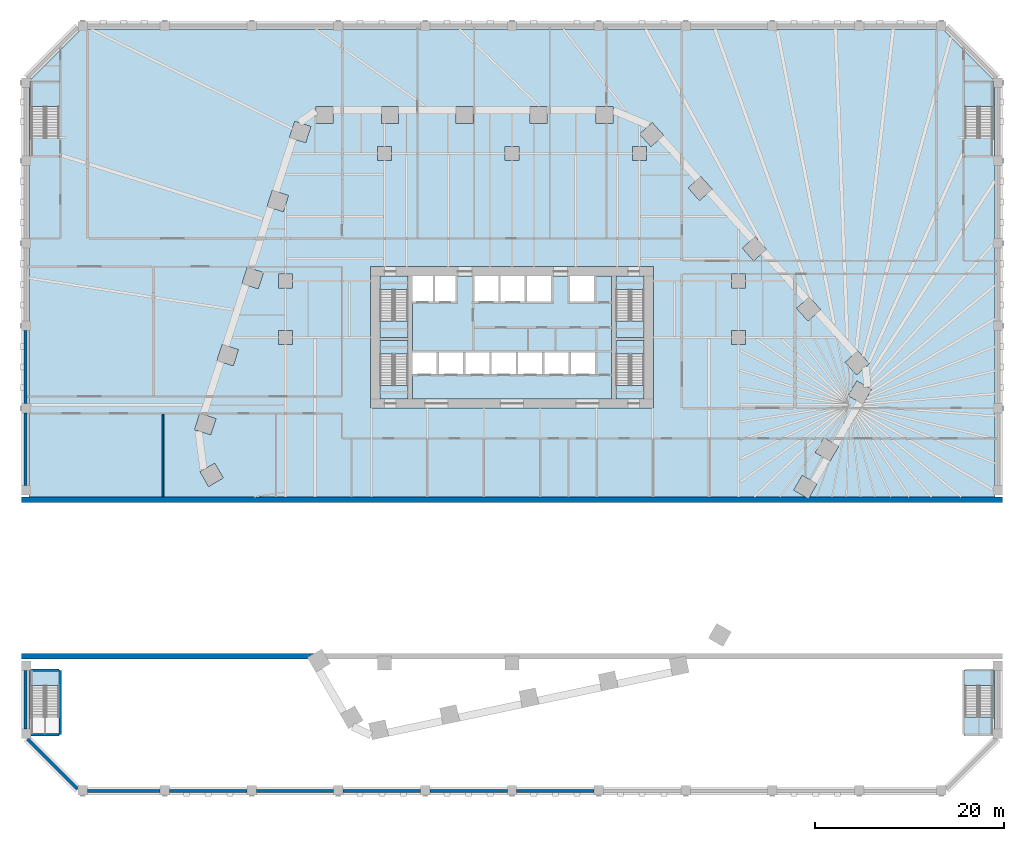
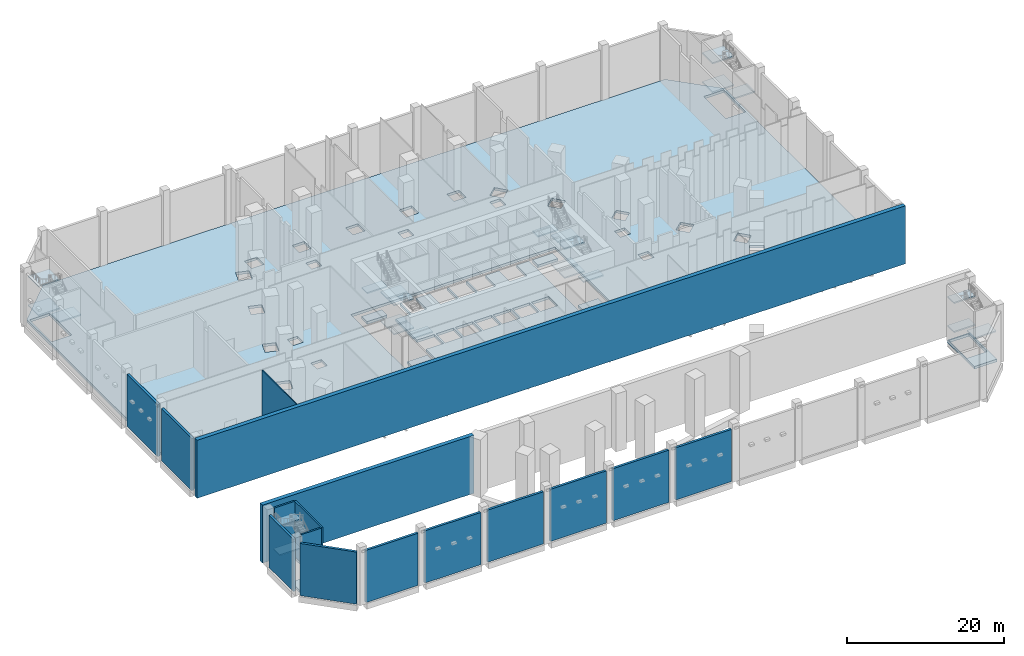
# One storey, part 5 of 23: 31 slabs, 16 walls, 8 elements without a shape of their own.
"""IFC4 building model written with IfcOpenShell, lengths in metres."""

from ifc_helpers import new_model, si_unit, direction, frame, frame_2d, origin, place, context, subcontext, project, spatial, polyline, rectangle, outline, extrude, material, layer, layer_set, type_object, element, aggregate, save


model = new_model("IFC4")

# Units and contexts
model_context = context("Model", 3, precision=1e-05, world=origin(), true_north=direction((0.0, 1.0)))
body_context = subcontext(model_context, "Body", "Model", "MODEL_VIEW")
ifc_project = project(units=[si_unit("LENGTHUNIT", "METRE"), si_unit("AREAUNIT", "SQUARE_METRE"), si_unit("VOLUMEUNIT", "CUBIC_METRE"), si_unit("PLANEANGLEUNIT", "RADIAN"), si_unit("MASSUNIT", "GRAM", prefix="KILO")], contexts=[model_context])

# Site, building, storey
site_placement = place(None, origin())
site = spatial("IfcSite", under=ifc_project, at=site_placement, CompositionType="ELEMENT")
building_placement = place(site_placement, origin())
building = spatial("IfcBuilding", under=site, at=building_placement, Name="Isthmus Gate Tower", CompositionType="ELEMENT")
storey_placement = place(building_placement, frame((0.0, 0.0, 9.0)))
storey = spatial("IfcBuildingStorey", under=building, at=storey_placement, Name="L01", CompositionType="ELEMENT", Elevation=9.0)

# Slabs
ifc_material_1 = material(Name="Concrete f'c 40 MPa", Category="concrete")
ifc_layer_1 = layer(ifc_material_1, 0.39990234375)
ifc_layer_set_1 = layer_set([ifc_layer_1], Name="CORE FLOOR SLAB 400")
slab_type_1 = type_object("IfcSlabType", Name="CORE FLOOR SLAB 400", PredefinedType="FLOOR", material=ifc_layer_set_1)
slab_1_placement = place(storey_placement, frame((0.0, 0.0, -0.39990234375)))
element("IfcSlab", 1, at=slab_1_placement, inside=storey, type_object=slab_type_1, Name="L01 core floor", PredefinedType="FLOOR", context=body_context, shape_type="SweptSolid", body=[
    extrude(outline(polyline([(-11.050048828125, 1.0), (-11.050048828125, 2.402099609375), (-14.0, 2.402099609375), (-14.0, 1.0), (-11.050048828125, 1.0)])), origin(), (0.0, 0.0, 1.0), 0.39990234375),
])
slab_2_placement = place(storey_placement, frame((0.0, 0.0, -0.39990234375)))
element("IfcSlab", 2, at=slab_2_placement, inside=storey, type_object=slab_type_1, Name="L01 core floor", PredefinedType="FLOOR", context=body_context, shape_type="SweptSolid", body=[
    extrude(outline(polyline([(-14.0, 14.0), (-14.0, 12.597900390625), (-11.050048828125, 12.597900390625), (-11.050048828125, 14.0), (-14.0, 14.0)])), origin(), (0.0, 0.0, 1.0), 0.39990234375),
])
slab_3_placement = place(storey_placement, frame((0.0, 0.0, -0.39990234375)))
element("IfcSlab", 3, at=slab_3_placement, inside=storey, type_object=slab_type_1, Name="L01 core floor", PredefinedType="FLOOR", context=body_context, shape_type="SweptSolid", body=[
    extrude(outline(polyline([(10.550048828125, 14.0), (8.699951171875, 14.0), (8.699951171875, 11.300048828125), (6.14990234375, 11.300048828125), (6.14990234375, 14.0), (4.14990234375, 14.0), (4.14990234375, 11.300048828125), (1.60009765625, 11.300048828125), (1.60009765625, 14.0), (1.35009765625, 14.0), (1.35009765625, 11.300048828125), (-1.199951171875, 11.300048828125), (-1.199951171875, 14.0), (-1.449951171875, 14.0), (-1.449951171875, 11.300048828125), (-4.0, 11.300048828125), (-4.0, 14.0), (-6.0, 14.0), (-6.0, 11.300048828125), (-8.14990234375, 11.300048828125), (-8.14990234375, 14.0), (-8.39990234375, 14.0), (-8.39990234375, 11.300048828125), (-10.550048828125, 11.300048828125), (-10.550048828125, 5.89990234375), (-8.0, 5.89990234375), (-8.0, 3.60009765625), (-10.550048828125, 3.60009765625), (-10.550048828125, 1.0), (10.550048828125, 1.0), (10.550048828125, 14.0)]), holes=[polyline([(-5.199951171875, 5.89990234375), (-5.199951171875, 3.60009765625), (-7.75, 3.60009765625), (-7.75, 5.89990234375), (-5.199951171875, 5.89990234375)]), polyline([(-2.39990234375, 5.89990234375), (-2.39990234375, 3.60009765625), (-4.949951171875, 3.60009765625), (-4.949951171875, 5.89990234375), (-2.39990234375, 5.89990234375)]), polyline([(0.39990234375, 5.89990234375), (0.39990234375, 3.60009765625), (-2.14990234375, 3.60009765625), (-2.14990234375, 5.89990234375), (0.39990234375, 5.89990234375)]), polyline([(3.199951171875, 5.89990234375), (3.199951171875, 3.60009765625), (0.64990234375, 3.60009765625), (0.64990234375, 5.89990234375), (3.199951171875, 5.89990234375)]), polyline([(6.0, 5.89990234375), (6.0, 3.60009765625), (3.449951171875, 3.60009765625), (3.449951171875, 5.89990234375), (6.0, 5.89990234375)]), polyline([(8.800048828125, 5.89990234375), (8.800048828125, 3.60009765625), (6.25, 3.60009765625), (6.25, 5.89990234375), (8.800048828125, 5.89990234375)])]), origin(), (0.0, 0.0, 1.0), 0.39990234375),
])
slab_4_placement = place(storey_placement, frame((0.0, 0.0, -0.39990234375)))
element("IfcSlab", 4, at=slab_4_placement, inside=storey, type_object=slab_type_1, Name="L01 core floor", PredefinedType="FLOOR", context=body_context, shape_type="SweptSolid", body=[
    extrude(outline(polyline([(14.0, 1.0), (14.0, 2.402099609375), (11.050048828125, 2.402099609375), (11.050048828125, 1.0), (14.0, 1.0)])), origin(), (0.0, 0.0, 1.0), 0.39990234375),
])
slab_5_placement = place(storey_placement, frame((0.0, 0.0, -0.39990234375)))
element("IfcSlab", 5, at=slab_5_placement, inside=storey, type_object=slab_type_1, Name="L01 core floor", PredefinedType="FLOOR", context=body_context, shape_type="SweptSolid", body=[
    extrude(outline(polyline([(11.050048828125, 14.0), (11.050048828125, 12.597900390625), (14.0, 12.597900390625), (14.0, 14.0), (11.050048828125, 14.0)])), origin(), (0.0, 0.0, 1.0), 0.39990234375),
])

# Stair, slabs
ifc_material_2 = material(Name="Concrete f'c 40 MPa", Category="concrete")
stair_type_1 = type_object("IfcStairType", Name="Podium exit stair 1400 wide flights", PredefinedType="HALF_TURN_STAIR", material=ifc_material_2)
stair_1_placement = place(storey_placement, origin())
stair_1 = element("IfcStair", 6, at=stair_1_placement, inside=storey, type_object=stair_type_1, Name="L01 Podium Exit Stair ST3", PredefinedType="HALF_TURN_STAIR")
ifc_material_3 = material(Name="Concrete f'c 40 MPa", Category="concrete")
ifc_layer_2 = layer(ifc_material_3, 0.199951171875)
ifc_layer_set_2 = layer_set([ifc_layer_2], Name="Podium stair landing 200")
slab_type_2 = type_object("IfcSlabType", Name="Podium stair landing 200", PredefinedType="LANDING", material=ifc_layer_set_2)
slab_6_placement = place(storey_placement, frame((0.0, 0.0, 2.050048828125)))
slab_6 = element("IfcSlab", 7, at=slab_6_placement, type_object=slab_type_2, Name="ST3 landing 1", PredefinedType="LANDING", context=body_context, shape_type="SweptSolid", body=[
    extrude(outline(polyline([(-47.89990234375, -29.364990234375), (-47.89990234375, -27.72900390625), (-51.050048828125, -27.72900390625), (-51.050048828125, -29.364990234375), (-47.89990234375, -29.364990234375)])), origin(), (0.0, 0.0, 1.0), 0.199951171875),
])
slab_7_placement = place(storey_placement, frame((0.0, 0.0, 6.550048828125)))
slab_7 = element("IfcSlab", 8, at=slab_7_placement, type_object=slab_type_2, Name="ST3 landing 3", PredefinedType="LANDING", context=body_context, shape_type="SweptSolid", body=[
    extrude(outline(polyline([(-47.89990234375, -29.364990234375), (-47.89990234375, -27.72900390625), (-51.050048828125, -27.72900390625), (-51.050048828125, -29.364990234375), (-47.89990234375, -29.364990234375)])), origin(), (0.0, 0.0, 1.0), 0.199951171875),
])
aggregate(stair_1, [slab_6, slab_7])

stair_2_placement = place(storey_placement, origin())
stair_2 = element("IfcStair", 9, at=stair_2_placement, inside=storey, type_object=stair_type_1, Name="L01 Podium Exit Stair ST4", PredefinedType="HALF_TURN_STAIR")
slab_8_placement = place(storey_placement, frame((0.0, 0.0, 2.050048828125)))
slab_8 = element("IfcSlab", 10, at=slab_8_placement, type_object=slab_type_2, Name="ST4 landing 1", PredefinedType="LANDING", context=body_context, shape_type="SweptSolid", body=[
    extrude(outline(polyline([(51.050048828125, -29.364990234375), (51.050048828125, -27.72900390625), (47.89990234375, -27.72900390625), (47.89990234375, -29.364990234375), (51.050048828125, -29.364990234375)])), origin(), (0.0, 0.0, 1.0), 0.199951171875),
])
slab_9_placement = place(storey_placement, frame((0.0, 0.0, 4.300048828125)))
slab_9 = element("IfcSlab", 11, at=slab_9_placement, type_object=slab_type_2, Name="ST4 landing 2", PredefinedType="LANDING", context=body_context, shape_type="SweptSolid", body=[
    extrude(outline(polyline([(51.050048828125, -34.675048828125), (51.050048828125, -32.72509765625), (47.89990234375, -32.72509765625), (47.89990234375, -34.675048828125), (51.050048828125, -34.675048828125)])), origin(), (0.0, 0.0, 1.0), 0.199951171875),
])
slab_10_placement = place(storey_placement, frame((0.0, 0.0, 6.550048828125)))
slab_10 = element("IfcSlab", 12, at=slab_10_placement, type_object=slab_type_2, Name="ST4 landing 3", PredefinedType="LANDING", context=body_context, shape_type="SweptSolid", body=[
    extrude(outline(polyline([(51.050048828125, -29.364990234375), (51.050048828125, -27.72900390625), (47.89990234375, -27.72900390625), (47.89990234375, -29.364990234375), (51.050048828125, -29.364990234375)])), origin(), (0.0, 0.0, 1.0), 0.199951171875),
])
aggregate(stair_2, [slab_8, slab_9, slab_10])

stair_3_placement = place(storey_placement, origin())
stair_3 = element("IfcStair", 13, at=stair_3_placement, inside=storey, type_object=stair_type_1, Name="L01 Podium Exit Stair ST5", PredefinedType="HALF_TURN_STAIR")
slab_11_placement = place(storey_placement, frame((0.0, 0.0, 2.050048828125)))
slab_11 = element("IfcSlab", 14, at=slab_11_placement, type_object=slab_type_2, Name="ST5 landing 1", PredefinedType="LANDING", context=body_context, shape_type="SweptSolid", body=[
    extrude(outline(polyline([(51.050048828125, 31.985107421875), (51.050048828125, 34.625), (47.89990234375, 34.625), (47.89990234375, 31.985107421875), (51.050048828125, 31.985107421875)])), origin(), (0.0, 0.0, 1.0), 0.199951171875),
])
slab_12_placement = place(storey_placement, frame((0.0, 0.0, 4.300048828125)))
slab_12 = element("IfcSlab", 15, at=slab_12_placement, type_object=slab_type_2, Name="ST5 landing 2", PredefinedType="LANDING", context=body_context, shape_type="SweptSolid", body=[
    extrude(outline(polyline([(51.050048828125, 26.625), (51.050048828125, 28.625), (47.89990234375, 28.625), (47.89990234375, 26.625), (51.050048828125, 26.625)])), origin(), (0.0, 0.0, 1.0), 0.199951171875),
])
slab_13_placement = place(storey_placement, frame((0.0, 0.0, 6.550048828125)))
slab_13 = element("IfcSlab", 16, at=slab_13_placement, type_object=slab_type_2, Name="ST5 landing 3", PredefinedType="LANDING", context=body_context, shape_type="SweptSolid", body=[
    extrude(outline(polyline([(51.050048828125, 31.985107421875), (51.050048828125, 34.625), (47.89990234375, 34.625), (47.89990234375, 31.985107421875), (51.050048828125, 31.985107421875)])), origin(), (0.0, 0.0, 1.0), 0.199951171875),
])
aggregate(stair_3, [slab_11, slab_12, slab_13])

stair_4_placement = place(storey_placement, origin())
stair_4 = element("IfcStair", 17, at=stair_4_placement, inside=storey, type_object=stair_type_1, Name="L01 Podium Exit Stair ST6", PredefinedType="HALF_TURN_STAIR")
slab_14_placement = place(storey_placement, frame((0.0, 0.0, 2.050048828125)))
slab_14 = element("IfcSlab", 18, at=slab_14_placement, type_object=slab_type_2, Name="ST6 landing 1", PredefinedType="LANDING", context=body_context, shape_type="SweptSolid", body=[
    extrude(outline(polyline([(-47.89990234375, 31.985107421875), (-47.89990234375, 34.625), (-51.050048828125, 34.625), (-51.050048828125, 31.985107421875), (-47.89990234375, 31.985107421875)])), origin(), (0.0, 0.0, 1.0), 0.199951171875),
])
slab_15_placement = place(storey_placement, frame((0.0, 0.0, 4.300048828125)))
slab_15 = element("IfcSlab", 19, at=slab_15_placement, type_object=slab_type_2, Name="ST6 landing 2", PredefinedType="LANDING", context=body_context, shape_type="SweptSolid", body=[
    extrude(outline(polyline([(-47.89990234375, 26.625), (-47.89990234375, 28.625), (-51.050048828125, 28.625), (-51.050048828125, 26.625), (-47.89990234375, 26.625)])), origin(), (0.0, 0.0, 1.0), 0.199951171875),
])
slab_16_placement = place(storey_placement, frame((0.0, 0.0, 6.550048828125)))
slab_16 = element("IfcSlab", 20, at=slab_16_placement, type_object=slab_type_2, Name="ST6 landing 3", PredefinedType="LANDING", context=body_context, shape_type="SweptSolid", body=[
    extrude(outline(polyline([(-47.89990234375, 31.985107421875), (-47.89990234375, 34.625), (-51.050048828125, 34.625), (-51.050048828125, 31.985107421875), (-47.89990234375, 31.985107421875)])), origin(), (0.0, 0.0, 1.0), 0.199951171875),
])
aggregate(stair_4, [slab_14, slab_15, slab_16])

ifc_material_4 = material(Name="Concrete f'c 40 MPa", Category="concrete")
stair_type_2 = type_object("IfcStairType", Name="CORE STAIR 52 RISERS", PredefinedType="HALF_TURN_STAIR", material=ifc_material_4)
stair_5_placement = place(storey_placement, origin())
stair_5 = element("IfcStair", 21, at=stair_5_placement, inside=storey, type_object=stair_type_2, Name="L01 Exit Stair 1", PredefinedType="HALF_TURN_STAIR")
ifc_material_5 = material(Name="Concrete f'c 40 MPa", Category="concrete")
ifc_layer_3 = layer(ifc_material_5, 0.199951171875)
ifc_layer_set_3 = layer_set([ifc_layer_3])
slab_type_3 = type_object("IfcSlabType", Name="STAIR LANDING RC 200", PredefinedType="LANDING", material=ifc_layer_set_3)
slab_17_placement = place(storey_placement, frame((0.0, 0.0, 2.050048828125)))
slab_17 = element("IfcSlab", 22, at=slab_17_placement, type_object=slab_type_3, Name="ST1 landing 1", PredefinedType="LANDING", context=body_context, shape_type="SweptSolid", body=[
    extrude(outline(polyline([(-14.0, 9.239990234375), (-14.0, 7.5), (-11.050048828125, 7.5), (-11.050048828125, 9.239990234375), (-14.0, 9.239990234375)])), origin(), (0.0, 0.0, 1.0), 0.199951171875),
])
slab_18_placement = place(storey_placement, frame((0.0, 0.0, 4.300048828125)))
slab_18 = element("IfcSlab", 23, at=slab_18_placement, type_object=slab_type_3, Name="ST1 landing 2", PredefinedType="LANDING", context=body_context, shape_type="SweptSolid", body=[
    extrude(outline(polyline([(-14.0, 14.0), (-14.0, 12.60009765625), (-11.050048828125, 12.60009765625), (-11.050048828125, 14.0), (-14.0, 14.0)])), origin(), (0.0, 0.0, 1.0), 0.199951171875),
])
slab_19_placement = place(storey_placement, frame((0.0, 0.0, 6.550048828125)))
slab_19 = element("IfcSlab", 24, at=slab_19_placement, type_object=slab_type_3, Name="ST1 landing 3", PredefinedType="LANDING", context=body_context, shape_type="SweptSolid", body=[
    extrude(outline(polyline([(-14.0, 9.239990234375), (-14.0, 7.5), (-11.050048828125, 7.5), (-11.050048828125, 9.239990234375), (-14.0, 9.239990234375)])), origin(), (0.0, 0.0, 1.0), 0.199951171875),
])
aggregate(stair_5, [slab_17, slab_18, slab_19])

stair_6_placement = place(storey_placement, origin())
stair_6 = element("IfcStair", 25, at=stair_6_placement, inside=storey, type_object=stair_type_2, Name="L01 Exit Stair 2", PredefinedType="HALF_TURN_STAIR")
slab_20_placement = place(storey_placement, frame((0.0, 0.0, 2.050048828125)))
slab_20 = element("IfcSlab", 26, at=slab_20_placement, type_object=slab_type_3, Name="ST2 landing 1", PredefinedType="LANDING", context=body_context, shape_type="SweptSolid", body=[
    extrude(outline(polyline([(11.050048828125, 9.239990234375), (11.050048828125, 7.5), (14.0, 7.5), (14.0, 9.239990234375), (11.050048828125, 9.239990234375)])), origin(), (0.0, 0.0, 1.0), 0.199951171875),
])
slab_21_placement = place(storey_placement, frame((0.0, 0.0, 4.300048828125)))
slab_21 = element("IfcSlab", 27, at=slab_21_placement, type_object=slab_type_3, Name="ST2 landing 2", PredefinedType="LANDING", context=body_context, shape_type="SweptSolid", body=[
    extrude(outline(polyline([(11.050048828125, 14.0), (11.050048828125, 12.60009765625), (14.0, 12.60009765625), (14.0, 14.0), (11.050048828125, 14.0)])), origin(), (0.0, 0.0, 1.0), 0.199951171875),
])
slab_22_placement = place(storey_placement, frame((0.0, 0.0, 6.550048828125)))
slab_22 = element("IfcSlab", 28, at=slab_22_placement, type_object=slab_type_3, Name="ST2 landing 3", PredefinedType="LANDING", context=body_context, shape_type="SweptSolid", body=[
    extrude(outline(polyline([(11.050048828125, 9.239990234375), (11.050048828125, 7.5), (14.0, 7.5), (14.0, 9.239990234375), (11.050048828125, 9.239990234375)])), origin(), (0.0, 0.0, 1.0), 0.199951171875),
])
aggregate(stair_6, [slab_20, slab_21, slab_22])

stair_7_placement = place(storey_placement, origin())
stair_7 = element("IfcStair", 29, at=stair_7_placement, inside=storey, type_object=stair_type_2, Name="L01 Exit Stair 7", PredefinedType="HALF_TURN_STAIR")
slab_23_placement = place(storey_placement, frame((0.0, 0.0, 2.050048828125)))
slab_23 = element("IfcSlab", 30, at=slab_23_placement, type_object=slab_type_3, Name="ST7 landing 1", PredefinedType="LANDING", context=body_context, shape_type="SweptSolid", body=[
    extrude(outline(polyline([(-11.050048828125, 5.760009765625), (-11.050048828125, 7.199951171875), (-14.0, 7.199951171875), (-14.0, 5.760009765625), (-11.050048828125, 5.760009765625)])), origin(), (0.0, 0.0, 1.0), 0.199951171875),
])
slab_24_placement = place(storey_placement, frame((0.0, 0.0, 4.300048828125)))
slab_24 = element("IfcSlab", 31, at=slab_24_placement, type_object=slab_type_3, Name="ST7 landing 2", PredefinedType="LANDING", context=body_context, shape_type="SweptSolid", body=[
    extrude(outline(polyline([(-11.050048828125, 1.0), (-11.050048828125, 2.39990234375), (-14.0, 2.39990234375), (-14.0, 1.0), (-11.050048828125, 1.0)])), origin(), (0.0, 0.0, 1.0), 0.199951171875),
])
slab_25_placement = place(storey_placement, frame((0.0, 0.0, 6.550048828125)))
slab_25 = element("IfcSlab", 32, at=slab_25_placement, type_object=slab_type_3, Name="ST7 landing 3", PredefinedType="LANDING", context=body_context, shape_type="SweptSolid", body=[
    extrude(outline(polyline([(-11.050048828125, 5.760009765625), (-11.050048828125, 7.199951171875), (-14.0, 7.199951171875), (-14.0, 5.760009765625), (-11.050048828125, 5.760009765625)])), origin(), (0.0, 0.0, 1.0), 0.199951171875),
])
aggregate(stair_7, [slab_23, slab_24, slab_25])

stair_8_placement = place(storey_placement, origin())
stair_8 = element("IfcStair", 33, at=stair_8_placement, inside=storey, type_object=stair_type_2, Name="L01 Exit Stair 8", PredefinedType="HALF_TURN_STAIR")
slab_26_placement = place(storey_placement, frame((0.0, 0.0, 2.050048828125)))
slab_26 = element("IfcSlab", 34, at=slab_26_placement, type_object=slab_type_3, Name="ST8 landing 1", PredefinedType="LANDING", context=body_context, shape_type="SweptSolid", body=[
    extrude(outline(polyline([(14.0, 5.760009765625), (14.0, 7.199951171875), (11.050048828125, 7.199951171875), (11.050048828125, 5.760009765625), (14.0, 5.760009765625)])), origin(), (0.0, 0.0, 1.0), 0.199951171875),
])
slab_27_placement = place(storey_placement, frame((0.0, 0.0, 4.300048828125)))
slab_27 = element("IfcSlab", 35, at=slab_27_placement, type_object=slab_type_3, Name="ST8 landing 2", PredefinedType="LANDING", context=body_context, shape_type="SweptSolid", body=[
    extrude(outline(polyline([(14.0, 1.0), (14.0, 2.39990234375), (11.050048828125, 2.39990234375), (11.050048828125, 1.0), (14.0, 1.0)])), origin(), (0.0, 0.0, 1.0), 0.199951171875),
])
slab_28_placement = place(storey_placement, frame((0.0, 0.0, 6.550048828125)))
slab_28 = element("IfcSlab", 36, at=slab_28_placement, type_object=slab_type_3, Name="ST8 landing 3", PredefinedType="LANDING", context=body_context, shape_type="SweptSolid", body=[
    extrude(outline(polyline([(14.0, 5.760009765625), (14.0, 7.199951171875), (11.050048828125, 7.199951171875), (11.050048828125, 5.760009765625), (14.0, 5.760009765625)])), origin(), (0.0, 0.0, 1.0), 0.199951171875),
])
aggregate(stair_8, [slab_26, slab_27, slab_28])

# Slabs
ifc_material_6 = material(Name="Concrete f'c 40 MPa", Category="concrete")
ifc_layer_4 = layer(ifc_material_6, 0.39990234375)
ifc_layer_set_4 = layer_set([ifc_layer_4], Name="STUDIO FLOOR SLAB 400")
slab_type_4 = type_object("IfcSlabType", Name="STUDIO FLOOR SLAB 400", PredefinedType="FLOOR", material=ifc_layer_set_4)
slab_29_placement = place(storey_placement, frame((0.0, 0.0, -0.39990234375)))
element("IfcSlab", 37, at=slab_29_placement, inside=storey, type_object=slab_type_4, Name="str-slab-L01-1", PredefinedType="FLOOR", context=body_context, shape_type="SweptSolid", body=[
    extrude(outline(polyline([(-51.199951171875, -27.779052734375), (-47.875, -27.779052734375), (-47.875, -34.60009765625), (-51.199951171875, -34.60009765625), (-51.199951171875, -27.779052734375)]), holes=[polyline([(-48.0, -32.52490234375), (-48.0, -27.928955078125), (-50.949951171875, -27.928955078125), (-50.949951171875, -32.52490234375), (-48.0, -32.52490234375)])]), origin(), (0.0, 0.0, 1.0), 0.39990234375),
])
slab_30_placement = place(storey_placement, frame((0.0, 0.0, -0.39990234375)))
element("IfcSlab", 38, at=slab_30_placement, inside=storey, type_object=slab_type_4, Name="str-slab-L01-2", PredefinedType="FLOOR", context=body_context, shape_type="SweptSolid", body=[
    extrude(outline(polyline([(-51.199951171875, 34.668701171875), (-45.668701171875, 40.199951171875), (45.668701171875, 40.199951171875), (51.199951171875, 34.668701171875), (51.199951171875, -9.39990234375), (31.523193359375, -9.39990234375), (32.319580078125, -8.0205078125), (30.760986328125, -7.12060546875), (29.86083984375, -8.679443359375), (31.10888671875, -9.39990234375), (-51.199951171875, -9.39990234375), (-51.199951171875, 34.668701171875)]), holes=[polyline([(-33.063720703125, -6.73193359375), (-32.163818359375, -8.290771484375), (-30.60498046875, -7.390869140625), (-31.5048828125, -5.831787109375), (-33.063720703125, -6.73193359375)]), polyline([(-33.64599609375, -2.2607421875), (-31.93408203125, -2.817138671875), (-31.3779296875, -1.105224609375), (-33.08984375, -0.548828125), (-33.64599609375, -2.2607421875)]), polyline([(-30.7138671875, 6.76416015625), (-31.27001953125, 5.052001953125), (-29.55810546875, 4.495849609375), (-29.001953125, 6.207763671875), (-30.7138671875, 6.76416015625)]), polyline([(-24.75, 8.25), (-24.75, 6.75), (-23.25, 6.75), (-23.25, 8.25), (-24.75, 8.25)]), polyline([(-24.75, 14.25), (-24.75, 12.75), (-23.25, 12.75), (-23.25, 14.25), (-24.75, 14.25)]), polyline([(-28.0595703125, 14.93310546875), (-28.61572265625, 13.22119140625), (-26.90380859375, 12.664794921875), (-26.34765625, 14.376708984375), (-28.0595703125, 14.93310546875)]), polyline([(-25.96142578125, 21.389892578125), (-24.24951171875, 20.833740234375), (-23.693359375, 22.545654296875), (-25.4052734375, 23.10205078125), (-25.96142578125, 21.389892578125)]), polyline([(-14.25, 26.25), (-12.75, 26.25), (-12.75, 27.75), (-14.25, 27.75), (-14.25, 26.25)]), polyline([(-23.585205078125, 28.702880859375), (-21.873291015625, 28.146728515625), (-21.317138671875, 29.858642578125), (-23.029052734375, 30.4150390625), (-23.585205078125, 28.702880859375)]), polyline([(-18.976318359375, 30.199951171875), (-18.976318359375, 32.0), (-20.776123046875, 32.0), (-20.776123046875, 30.199951171875), (-18.976318359375, 30.199951171875)]), polyline([(-50.949951171875, 28.824951171875), (-48.0, 28.824951171875), (-48.0, 34.425048828125), (-50.949951171875, 34.425048828125), (-50.949951171875, 28.824951171875)]), polyline([(15.0, 0.0), (15.0, 15.0), (-15.0, 15.0), (-15.0, 0.0), (15.0, 0.0)]), polyline([(-0.75, 26.25), (0.75, 26.25), (0.75, 27.75), (-0.75, 27.75), (-0.75, 26.25)]), polyline([(12.75, 27.75), (12.75, 26.25), (14.25, 26.25), (14.25, 27.75), (12.75, 27.75)]), polyline([(16.069580078125, 28.93115234375), (14.864990234375, 30.268798828125), (13.52734375, 29.064453125), (14.73193359375, 27.726806640625), (16.069580078125, 28.93115234375)]), polyline([(-13.806640625, 32.0), (-13.806640625, 30.199951171875), (-12.006591796875, 30.199951171875), (-12.006591796875, 32.0), (-13.806640625, 32.0)]), polyline([(-4.13720703125, 30.199951171875), (-4.13720703125, 32.0), (-5.937255859375, 32.0), (-5.937255859375, 30.199951171875), (-4.13720703125, 30.199951171875)]), polyline([(3.732421875, 30.199951171875), (3.732421875, 32.0), (1.932373046875, 32.0), (1.932373046875, 30.199951171875), (3.732421875, 30.199951171875)]), polyline([(10.701904296875, 32.0), (8.90185546875, 32.0), (8.90185546875, 30.199951171875), (10.701904296875, 30.199951171875), (10.701904296875, 32.0)]), polyline([(34.6162109375, -4.04296875), (33.057373046875, -3.14306640625), (32.1572265625, -4.701904296875), (33.71630859375, -5.601806640625), (34.6162109375, -4.04296875)]), polyline([(35.64208984375, 1.333984375), (37.200927734375, 0.433837890625), (38.100830078125, 1.99267578125), (36.5419921875, 2.892578125), (35.64208984375, 1.333984375)]), polyline([(36.51708984375, 3.531982421875), (37.854736328125, 4.736328125), (36.650146484375, 6.073974609375), (35.3125, 4.869384765625), (36.51708984375, 3.531982421875)]), polyline([(23.25, 6.75), (24.75, 6.75), (24.75, 8.25), (23.25, 8.25), (23.25, 6.75)]), polyline([(32.70947265625, 10.45068359375), (31.505126953125, 11.788330078125), (30.16748046875, 10.583740234375), (31.371826171875, 9.24609375), (32.70947265625, 10.45068359375)]), polyline([(23.25, 14.25), (23.25, 12.75), (24.75, 12.75), (24.75, 14.25), (23.25, 14.25)]), polyline([(25.7578125, 18.17138671875), (24.419921875, 16.967041015625), (25.62451171875, 15.62939453125), (26.962158203125, 16.833740234375), (25.7578125, 18.17138671875)]), polyline([(21.214599609375, 23.216796875), (20.01025390625, 24.554443359375), (18.672607421875, 23.35009765625), (19.877197265625, 22.012451171875), (21.214599609375, 23.216796875)]), polyline([(48.0, 28.824951171875), (50.949951171875, 28.824951171875), (50.949951171875, 34.425048828125), (48.0, 34.425048828125), (48.0, 28.824951171875)])]), origin(), (0.0, 0.0, 1.0), 0.39990234375),
])
slab_31_placement = place(storey_placement, frame((0.0, 0.0, -0.39990234375)))
element("IfcSlab", 39, at=slab_31_placement, inside=storey, type_object=slab_type_4, Name="str-slab-L01-3", PredefinedType="FLOOR", context=body_context, shape_type="SweptSolid", body=[
    extrude(outline(polyline([(51.199951171875, -34.60009765625), (47.875, -34.60009765625), (47.875, -27.779052734375), (51.199951171875, -27.779052734375), (51.199951171875, -34.60009765625)]), holes=[polyline([(48.0, -32.52490234375), (50.949951171875, -32.52490234375), (50.949951171875, -27.928955078125), (48.0, -27.928955078125), (48.0, -32.52490234375)])]), origin(), (0.0, 0.0, 1.0), 0.39990234375),
])

# Walls
ifc_material_7 = material(Name="Precast concrete C40/50, limestone-faced", Category="masonry")
ifc_layer_5 = layer(ifc_material_7, 0.35009765625)
ifc_layer_set_5 = layer_set([ifc_layer_5], Name="PODIUM CLADDING WALL 350")
wall_type_1 = type_object("IfcWallType", Name="PODIUM CLADDING WALL 350", PredefinedType="SOLIDWALL", material=ifc_layer_set_5)
wall_1_placement = place(storey_placement, frame((-45.0, -40.574951171875, -0.39990234375), z_axis=(0.0, 0.0, 1.0), x_axis=(1.0, 0.0, 0.0)))
element("IfcWall", 40, at=wall_1_placement, inside=storey, type_object=wall_type_1, Name="PODIUM WALL", PredefinedType="SOLIDWALL", context=body_context, shape_type="SweptSolid", body=[
    extrude(rectangle(XDim=7.699951171875, YDim=0.35009765625, at=frame_2d((3.85009765625, 0.0))), origin(), (0.0, 0.0, 1.0), 8.099853515625),
])
wall_2_placement = place(storey_placement, frame((-36.300048828125, -40.574951171875, -0.39990234375), z_axis=(0.0, 0.0, 1.0), x_axis=(1.0, 0.0, 0.0)))
element("IfcWall", 41, at=wall_2_placement, inside=storey, type_object=wall_type_1, Name="PODIUM WALL", PredefinedType="SOLIDWALL", context=body_context, shape_type="SweptSolid", body=[
    extrude(rectangle(XDim=8.199951171875, YDim=0.35009765625, at=frame_2d((4.10009765625, 0.0))), origin(), (0.0, 0.0, 1.0), 8.099853515625),
])
wall_3_placement = place(storey_placement, frame((-27.10009765625, -40.574951171875, -0.39990234375), z_axis=(0.0, 0.0, 1.0), x_axis=(1.0, 0.0, 0.0)))
element("IfcWall", 42, at=wall_3_placement, inside=storey, type_object=wall_type_1, Name="PODIUM WALL", PredefinedType="SOLIDWALL", context=body_context, shape_type="SweptSolid", body=[
    extrude(rectangle(XDim=8.2001953125, YDim=0.35009765625, at=frame_2d((4.10009765625, 0.0))), origin(), (0.0, 0.0, 1.0), 8.099853515625),
])
for number, where, z_axis, x_axis, name in (
    (43, (-17.89990234375, -40.574951171875, -0.39990234375), (0.0, 0.0, 1.0), (1.0, 0.0, 0.0), "PODIUM WALL"),
    (44, (-8.699951171875, -40.574951171875, -0.39990234375), (0.0, 0.0, 1.0), (1.0, 0.0, 0.0), "PODIUM WALL"),
    (45, (0.5, -40.574951171875, -0.39990234375), (0.0, 0.0, 1.0), (1.0, 0.0, 0.0), "PODIUM WALL"),
):
    element("IfcWall", number, at=place(storey_placement, frame(where, z_axis=z_axis, x_axis=x_axis)), inside=storey, type_object=wall_type_1, Name=name, PredefinedType="SOLIDWALL", context=body_context, shape_type="SweptSolid", body=[
        extrude(rectangle(XDim=8.199951171875, YDim=0.35009765625, at=frame_2d((4.10009765625, 0.0))), origin(), (0.0, 0.0, 1.0), 8.099853515625),
    ])
wall_4_placement = place(storey_placement, frame((-51.574951171875, 8.25, -0.39990234375), z_axis=(0.0, 0.0, 1.0), x_axis=(0.0, -1.0, 0.0)))
element("IfcWall", 46, at=wall_4_placement, inside=storey, type_object=wall_type_1, Name="PODIUM WALL", PredefinedType="SOLIDWALL", context=body_context, shape_type="SweptSolid", body=[
    extrude(rectangle(XDim=7.75, YDim=0.35009765625, at=frame_2d((3.875, 0.0))), origin(), (0.0, 0.0, 1.0), 8.099853515625),
])
wall_5_placement = place(storey_placement, frame((-51.574951171875, -0.5, -0.39990234375), z_axis=(0.0, 0.0, 1.0), x_axis=(0.0, -1.0, 0.0)))
element("IfcWall", 47, at=wall_5_placement, inside=storey, type_object=wall_type_1, Name="PODIUM WALL", PredefinedType="SOLIDWALL", context=body_context, shape_type="SweptSolid", body=[
    extrude(rectangle(XDim=7.699951171875, YDim=0.35009765625, at=frame_2d((3.85009765625, 0.0))), origin(), (0.0, 0.0, 1.0), 8.099853515625),
])
wall_6_placement = place(storey_placement, frame((-51.574951171875, -27.800048828125, -0.39990234375), z_axis=(0.0, 0.0, 1.0), x_axis=(0.0, -1.0, 0.0)))
element("IfcWall", 48, at=wall_6_placement, inside=storey, type_object=wall_type_1, Name="PODIUM WALL", PredefinedType="SOLIDWALL", context=body_context, shape_type="SweptSolid", body=[
    extrude(rectangle(XDim=6.199951171875, YDim=0.35009765625, at=frame_2d((3.10009765625, 0.0))), origin(), (0.0, 0.0, 1.0), 8.099853515625),
])
wall_7_placement = place(storey_placement, frame((-51.327392578125, -35.071533203125, -0.39990234375), z_axis=(0.0, 0.0, 1.0), x_axis=(0.707106781187, -0.707106781187, 0.0)))
element("IfcWall", 49, at=wall_7_placement, inside=storey, type_object=wall_type_1, Name="PODIUM WALL", PredefinedType="SOLIDWALL", context=body_context, shape_type="SweptSolid", body=[
    extrude(rectangle(XDim=7.432861328125, YDim=0.35009765625, at=frame_2d((3.71630859375, 0.0))), origin(), (0.0, 0.0, 1.0), 8.099853515625),
])
ifc_material_8 = material(Name="Gypsum board on cold-formed steel studs", Category="steel")
ifc_layer_6 = layer(ifc_material_8, 0.14990234375)
ifc_layer_set_6 = layer_set([ifc_layer_6])
wall_type_2 = type_object("IfcWallType", Name="Partition 150 gypsum board on steel studs", PredefinedType="PARTITIONING", material=ifc_layer_set_6)
wall_8_placement = place(storey_placement, frame((-37.0, -9.39990234375, 0.0), z_axis=(0.0, 0.0, 1.0), x_axis=(0.0, 1.0, 0.0)))
element("IfcWall", 50, at=wall_8_placement, inside=storey, type_object=wall_type_2, Name="Partition", PredefinedType="PARTITIONING", context=body_context, shape_type="SweptSolid", body=[
    extrude(rectangle(XDim=8.77587890625, YDim=0.14990234375, at=frame_2d((4.387939453125, 0.0))), origin(), (0.0, 0.0, 1.0), 8.60009765625),
])
ifc_material_9 = material(Name="Concrete f'c 70 MPa", Category="concrete")
ifc_layer_7 = layer(ifc_material_9, 0.60009765625)
ifc_layer_set_7 = layer_set([ifc_layer_7], Name="RC PASSAGE WALL 600 F'C 70")
wall_type_3 = type_object("IfcWallType", Name="RC PASSAGE WALL 600 F'C 70", PredefinedType="SOLIDWALL", material=ifc_layer_set_7)
wall_9_placement = place(storey_placement, frame((-52.0, -26.300048828125, -0.39990234375), z_axis=(0.0, 0.0, 1.0), x_axis=(1.0, 0.0, 0.0)))
element("IfcWall", 51, at=wall_9_placement, inside=storey, type_object=wall_type_3, Name="str-passwall-S-L01-1", PredefinedType="SOLIDWALL", context=body_context, shape_type="SweptSolid", body=[
    extrude(rectangle(XDim=31.031982421875, YDim=0.60009765625, at=frame_2d((15.51611328125, 0.0))), origin(), (0.0, 0.0, 1.0), 9.0),
])
wall_10_placement = place(storey_placement, frame((-52.0, -9.699951171875, -0.39990234375), z_axis=(0.0, 0.0, 1.0), x_axis=(1.0, 0.0, 0.0)))
element("IfcWall", 52, at=wall_10_placement, inside=storey, type_object=wall_type_3, Name="str-passwall-N-L01-1", PredefinedType="SOLIDWALL", context=body_context, shape_type="SweptSolid", body=[
    extrude(rectangle(XDim=104.0, YDim=0.60009765625, at=frame_2d((52.0, 0.0))), origin(), (0.0, 0.0, 1.0), 9.0),
])
ifc_material_10 = material(Name="Concrete f'c 40 MPa", Category="concrete")
ifc_layer_8 = layer(ifc_material_10, 0.25)
ifc_layer_set_8 = layer_set([ifc_layer_8])
wall_type_4 = type_object("IfcWallType", Name="Stair shaft wall 250 reinforced concrete", PredefinedType="SHEAR", material=ifc_layer_set_8)
for number, where, z_axis, x_axis, name in (
    (53, (-51.0, -34.60009765625, 0.0), (0.0, 0.0, 1.0), (1.0, 0.0, 0.0), "Stair shaft wall"),
    (54, (-51.0, -27.779052734375, 0.0), (0.0, 0.0, 1.0), (1.0, 0.0, 0.0), "Stair shaft wall"),
):
    element("IfcWall", number, at=place(storey_placement, frame(where, z_axis=z_axis, x_axis=x_axis)), inside=storey, type_object=wall_type_4, Name=name, PredefinedType="SHEAR", context=body_context, shape_type="SweptSolid", body=[
        extrude(rectangle(XDim=3.0, YDim=0.25, at=frame_2d((1.5, 0.0))), origin(), (0.0, 0.0, 1.0), 8.60009765625),
    ])
wall_11_placement = place(storey_placement, frame((-47.875, -34.60009765625, 0.0), z_axis=(0.0, 0.0, 1.0), x_axis=(0.0, 1.0, 0.0)))
element("IfcWall", 55, at=wall_11_placement, inside=storey, type_object=wall_type_4, Name="Stair shaft wall", PredefinedType="SHEAR", context=body_context, shape_type="SweptSolid", body=[
    extrude(rectangle(XDim=6.821044921875, YDim=0.25, at=frame_2d((3.41064453125, 0.0))), origin(), (0.0, 0.0, 1.0), 8.60009765625),
])

save(model, "model.ifc")
